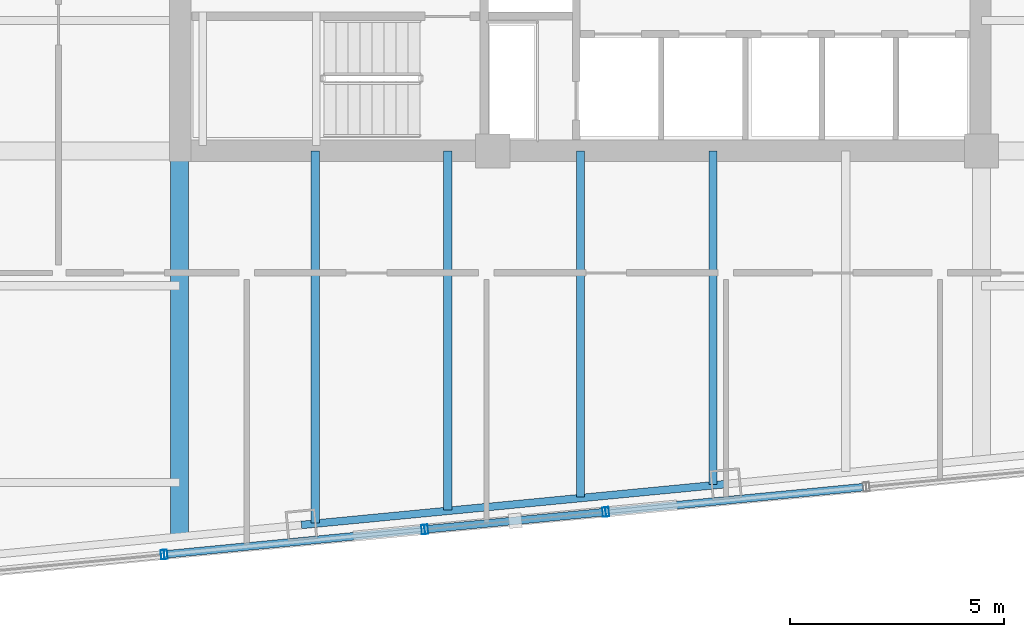
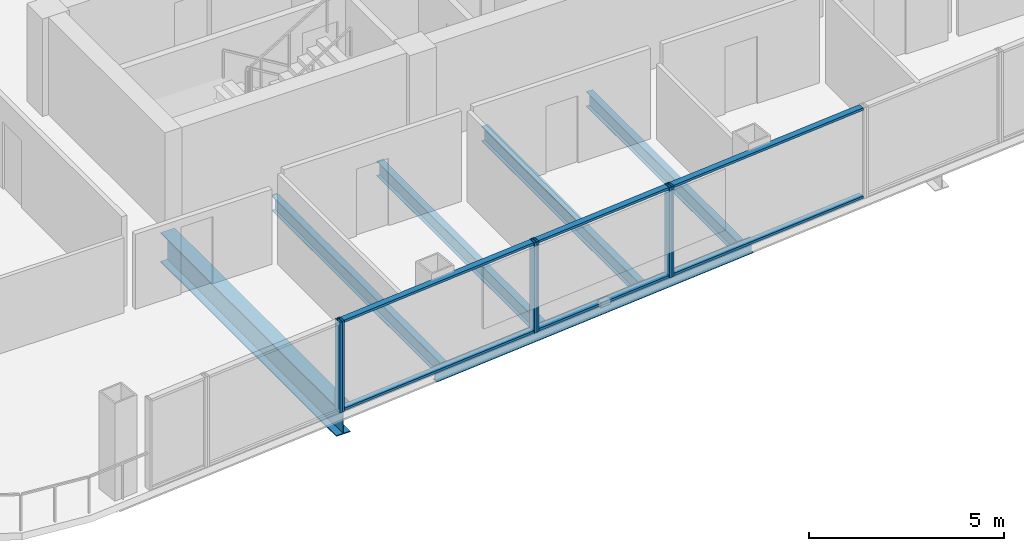
# One storey, part 4 of 22: 12 members, 6 beams, 4 elements without a shape of their own.
"""IFC4 building model written with IfcOpenShell, lengths in metres."""

from ifc_helpers import new_model, si_unit, direction, frame, origin, origin_2d, place, context, subcontext, project, spatial, hollow_rectangle, i_section, extrude, material, layer, layer_set, material_profile, profile_set, type_object, element, aggregate, save


model = new_model("IFC4")

# Units and contexts
model_context = context("Model", 3, precision=1e-05, world=origin(), true_north=direction((0.0, 1.0)))
body_context = subcontext(model_context, "Body", "Model", "MODEL_VIEW")
ifc_project = project(units=[si_unit("LENGTHUNIT", "METRE"), si_unit("AREAUNIT", "SQUARE_METRE"), si_unit("VOLUMEUNIT", "CUBIC_METRE"), si_unit("PLANEANGLEUNIT", "RADIAN"), si_unit("MASSUNIT", "GRAM", prefix="KILO")], contexts=[model_context])

# Site, building, storey
site_placement = place(None, origin())
site = spatial("IfcSite", under=ifc_project, at=site_placement, CompositionType="ELEMENT")
building_placement = place(site_placement, origin())
building = spatial("IfcBuilding", under=site, at=building_placement, Name="Qhalaya Broadcast Tower", CompositionType="ELEMENT")
storey_placement = place(building_placement, frame((0.0, 0.0, 171.39990234375)))
storey = spatial("IfcBuildingStorey", under=building, at=storey_placement, Name="L50", CompositionType="ELEMENT", Elevation=171.39990234375)

# Beams
ifc_material_1 = material(Name="Structural Steel ASTM A992 Grade 50", Category="steel")
ifc_material_profile_1 = material_profile(ifc_material_1, i_section(OverallWidth=0.19189453125, OverallDepth=0.462890625, WebThickness=0.010498046875, FlangeThickness=0.017578125, at=origin_2d()), Name="W18X60")
ifc_profile_set_1 = profile_set([ifc_material_profile_1], Name="Structural Steel ASTM A992 Grade 50")
beam_type_1 = type_object("IfcBeamType", Name="Composite Floor Joist J03", PredefinedType="JOIST", material=ifc_profile_set_1)
beam_1_placement = place(storey_placement, frame((-6.199951171875, -17.441650390625, -0.451416015625), z_axis=(0.0, 1.0, 0.0), x_axis=(-1.0, 0.0, 0.0)))
element("IfcBeam", 1, at=beam_1_placement, inside=storey, type_object=beam_type_1, Name="L50 J03 L50-JNS1-1", PredefinedType="JOIST", context=body_context, shape_type="SweptSolid", body=[
    extrude(i_section(OverallWidth=0.19189453125, OverallDepth=0.462890625, WebThickness=0.010498046875, FlangeThickness=0.017578125, at=origin_2d()), origin(), (0.0, 0.0, 1.0), 8.691650390625),
])
beam_2_placement = place(storey_placement, frame((-3.10009765625, -17.14306640625, -0.451416015625), z_axis=(0.0, 1.0, 0.0), x_axis=(-1.0, 0.0, 0.0)))
element("IfcBeam", 2, at=beam_2_placement, inside=storey, type_object=beam_type_1, Name="L50 J03 L50-JNS2-1", PredefinedType="JOIST", context=body_context, shape_type="SweptSolid", body=[
    extrude(i_section(OverallWidth=0.19189453125, OverallDepth=0.462890625, WebThickness=0.010498046875, FlangeThickness=0.017578125, at=origin_2d()), origin(), (0.0, 0.0, 1.0), 8.39306640625),
])
beam_3_placement = place(storey_placement, frame((0.0, -16.844482421875, -0.451416015625), z_axis=(0.0, 1.0, 0.0), x_axis=(-1.0, 0.0, 0.0)))
element("IfcBeam", 3, at=beam_3_placement, inside=storey, type_object=beam_type_1, Name="L50 J03 L50-JNS3-1", PredefinedType="JOIST", context=body_context, shape_type="SweptSolid", body=[
    extrude(i_section(OverallWidth=0.19189453125, OverallDepth=0.462890625, WebThickness=0.010498046875, FlangeThickness=0.017578125, at=origin_2d()), origin(), (0.0, 0.0, 1.0), 8.094482421875),
])
beam_4_placement = place(storey_placement, frame((3.10009765625, -16.546142578125, -0.451416015625), z_axis=(0.0, 1.0, 0.0), x_axis=(-1.0, 0.0, 0.0)))
element("IfcBeam", 4, at=beam_4_placement, inside=storey, type_object=beam_type_1, Name="L50 J03 L50-JNS4-1", PredefinedType="JOIST", context=body_context, shape_type="SweptSolid", body=[
    extrude(i_section(OverallWidth=0.19189453125, OverallDepth=0.462890625, WebThickness=0.010498046875, FlangeThickness=0.017578125, at=origin_2d()), origin(), (0.0, 0.0, 1.0), 7.796142578125),
])
ifc_material_profile_2 = material_profile(ifc_material_1, i_section(OverallWidth=0.4189453125, OverallDepth=0.927001953125, WebThickness=0.019287109375, FlangeThickness=0.031982421875, at=origin_2d()), Name="W36X231")
ifc_profile_set_2 = profile_set([ifc_material_profile_2], Name="Structural Steel ASTM A992 Grade 50")
beam_type_2 = type_object("IfcBeamType", Name="Mid Block Primary Girder PG3", PredefinedType="USERDEFINED", material=ifc_profile_set_2)
beam_5_placement = place(storey_placement, frame((-9.375, -17.747314453125, -0.683349609375), z_axis=(0.0, 1.0, 0.0), x_axis=(-1.0, 0.0, 0.0)))
element("IfcBeam", 5, at=beam_5_placement, inside=storey, type_object=beam_type_2, Name="L50 PG3 L50-PGXS1-1", ObjectType="GIRDER", PredefinedType="USERDEFINED", context=body_context, shape_type="SweptSolid", body=[
    extrude(i_section(OverallWidth=0.4189453125, OverallDepth=0.927001953125, WebThickness=0.019287109375, FlangeThickness=0.031982421875, at=origin_2d()), origin(), (0.0, 0.0, 1.0), 8.997314453125),
])

# Curtain wall, member
ifc_material_2 = material(Name="Solar-Control Low-E Triple Glazing", Category="glass")
ifc_layer_1 = layer(ifc_material_2, 0.219970703125, Name="Solar-Control Low-E Triple Glazing")
ifc_layer_set_1 = layer_set([ifc_layer_1], Name="Solar-Control Low-E Triple Glazing")
curtain_wall_type_1 = type_object("IfcCurtainWallType", Name="Even-Block 4-Storey Double-Module Curtain Wall CW-03", PredefinedType="NOTDEFINED", material=ifc_layer_set_1)
curtain_wall_1_placement = place(storey_placement, origin())
curtain_wall_1 = element("IfcCurtainWall", 6, at=curtain_wall_1_placement, inside=storey, type_object=curtain_wall_type_1, Name="L50 Unitised Curtain Wall L50-CW-S2", PredefinedType="NOTDEFINED")
ifc_material_3 = material(Name="Anodised Aluminium 6063-T6", Category="aluminium")
ifc_material_profile_3 = material_profile(ifc_material_3, hollow_rectangle(XDim=0.074951171875, YDim=0.219970703125, WallThickness=0.00390625, at=origin_2d()), Name="ALU-MUL 75x220x4")
ifc_profile_set_3 = profile_set([ifc_material_profile_3], Name="Anodised Aluminium 6063-T6")
member_type_1 = type_object("IfcMemberType", Name="Unitised Curtain-Wall Mullion M01", PredefinedType="MULLION", material=ifc_profile_set_3)
member_1_placement = place(storey_placement, frame((-9.765625, -18.186767578125, 0.0), z_axis=(0.0, 0.0, 1.0), x_axis=(0.995397122956, 0.095836149814, 0.0)))
member_1 = element("IfcMember", 7, at=member_1_placement, type_object=member_type_1, Name="CW-03 mullion 2", PredefinedType="MULLION", context=body_context, shape_type="SweptSolid", body=[
    extrude(hollow_rectangle(XDim=0.074951171875, YDim=0.219970703125, WallThickness=0.00390625, at=origin_2d()), origin(), (0.0, 0.0, 1.0), 2.830078125),
])
aggregate(curtain_wall_1, [member_1])

# Curtain wall, members
ifc_material_4 = material(Name="Fired Architectural Terracotta", Category="masonry")
ifc_layer_2 = layer(ifc_material_4, 0.219970703125, Name="Fired Architectural Terracotta")
ifc_layer_set_2 = layer_set([ifc_layer_2], Name="Fired Architectural Terracotta")
curtain_wall_type_2 = type_object("IfcCurtainWallType", Name="Block-Cap Unitised Terracotta Spandrel Wall CW-07", PredefinedType="NOTDEFINED", material=ifc_layer_set_2)
curtain_wall_2_placement = place(storey_placement, origin())
curtain_wall_2 = element("IfcCurtainWall", 8, at=curtain_wall_2_placement, inside=storey, type_object=curtain_wall_type_2, Name="L50 Unitised Curtain Wall L50-CW-S3", PredefinedType="NOTDEFINED")
member_2_placement = place(storey_placement, frame((-9.691162109375, -18.1796875, 0.0), z_axis=(0.0, 0.0, 1.0), x_axis=(0.995395960619, 0.095848221597, 0.0)))
member_2 = element("IfcMember", 9, at=member_2_placement, type_object=member_type_1, Name="CW-07 mullion 1", PredefinedType="MULLION", context=body_context, shape_type="SweptSolid", body=[
    extrude(hollow_rectangle(XDim=0.074951171875, YDim=0.219970703125, WallThickness=0.00390625, at=origin_2d()), origin(), (0.0, 0.0, 1.0), 2.830078125),
])
member_3_placement = place(storey_placement, frame((-3.677001953125, -17.6005859375, 0.0), z_axis=(0.0, 0.0, 1.0), x_axis=(0.995395960619, 0.095848221597, 0.0)))
member_3 = element("IfcMember", 10, at=member_3_placement, type_object=member_type_1, Name="CW-07 mullion 2", PredefinedType="MULLION", context=body_context, shape_type="SweptSolid", body=[
    extrude(hollow_rectangle(XDim=0.074951171875, YDim=0.219970703125, WallThickness=0.00390625, at=origin_2d()), origin(), (0.0, 0.0, 1.0), 2.830078125),
])

curtain_wall_3_placement = place(storey_placement, origin())
curtain_wall_3 = element("IfcCurtainWall", 11, at=curtain_wall_3_placement, inside=storey, type_object=curtain_wall_type_1, Name="L50 Unitised Curtain Wall L50-CW-S4", PredefinedType="NOTDEFINED")
member_4_placement = place(storey_placement, frame((-3.602294921875, -17.59326171875, 0.0), z_axis=(0.0, 0.0, 1.0), x_axis=(0.995395094286, 0.095857218151, 0.0)))
member_4 = element("IfcMember", 12, at=member_4_placement, type_object=member_type_1, Name="CW-03 mullion 1", PredefinedType="MULLION", context=body_context, shape_type="SweptSolid", body=[
    extrude(hollow_rectangle(XDim=0.074951171875, YDim=0.219970703125, WallThickness=0.00390625, at=origin_2d()), origin(), (0.0, 0.0, 1.0), 2.830078125),
])
member_5_placement = place(storey_placement, frame((0.553466796875, -17.193115234375, 0.0), z_axis=(0.0, 0.0, 1.0), x_axis=(0.995395094286, 0.095857218151, 0.0)))
member_5 = element("IfcMember", 13, at=member_5_placement, type_object=member_type_1, Name="CW-03 mullion 2", PredefinedType="MULLION", context=body_context, shape_type="SweptSolid", body=[
    extrude(hollow_rectangle(XDim=0.074951171875, YDim=0.219970703125, WallThickness=0.00390625, at=origin_2d()), origin(), (0.0, 0.0, 1.0), 2.830078125),
])

# Curtain wall, member
curtain_wall_4_placement = place(storey_placement, origin())
curtain_wall_4 = element("IfcCurtainWall", 14, at=curtain_wall_4_placement, inside=storey, type_object=curtain_wall_type_2, Name="L50 Unitised Curtain Wall L50-CW-S5", PredefinedType="NOTDEFINED")
member_6_placement = place(storey_placement, frame((0.628173828125, -17.185791015625, 0.0), z_axis=(0.0, 0.0, 1.0), x_axis=(0.995395960619, 0.095848221597, 0.0)))
member_6 = element("IfcMember", 15, at=member_6_placement, type_object=member_type_1, Name="CW-07 mullion 1", PredefinedType="MULLION", context=body_context, shape_type="SweptSolid", body=[
    extrude(hollow_rectangle(XDim=0.074951171875, YDim=0.219970703125, WallThickness=0.00390625, at=origin_2d()), origin(), (0.0, 0.0, 1.0), 2.830078125),
])

# Member
ifc_material_profile_4 = material_profile(ifc_material_3, hollow_rectangle(XDim=0.074951171875, YDim=0.179931640625, WallThickness=0.00390625, at=origin_2d()), Name="ALU-TRN 75x180x4")
ifc_profile_set_4 = profile_set([ifc_material_profile_4], Name="Anodised Aluminium 6063-T6")
member_type_2 = type_object("IfcMemberType", Name="Unitised Curtain-Wall Transom T01", PredefinedType="USERDEFINED", material=ifc_profile_set_4)
member_7_placement = place(storey_placement, frame((-9.65380859375, -18.176025390625, 0.03759765625), z_axis=(0.995394324344, 0.095865213003, 0.0), x_axis=(0.0, 0.0, 1.0)))
member_7 = element("IfcMember", 16, at=member_7_placement, type_object=member_type_2, Name="CW-07 transom 1.1", ObjectType="TRANSOM", PredefinedType="USERDEFINED", context=body_context, shape_type="SweptSolid", body=[
    extrude(hollow_rectangle(XDim=0.074951171875, YDim=0.179931640625, WallThickness=0.00390625, at=origin_2d()), origin(), (0.0, 0.0, 1.0), 5.967041015625),
])

member_8_placement = place(storey_placement, frame((-9.65380859375, -18.176025390625, 2.79248046875), z_axis=(0.995394324344, 0.095865213003, 0.0), x_axis=(0.0, 0.0, 1.0)))
member_8 = element("IfcMember", 17, at=member_8_placement, type_object=member_type_2, Name="CW-07 transom 1.2", ObjectType="TRANSOM", PredefinedType="USERDEFINED", context=body_context, shape_type="SweptSolid", body=[
    extrude(hollow_rectangle(XDim=0.074951171875, YDim=0.179931640625, WallThickness=0.00390625, at=origin_2d()), origin(), (0.0, 0.0, 1.0), 5.967041015625),
])

aggregate(curtain_wall_2, [member_2, member_3, member_7, member_8])

member_9_placement = place(storey_placement, frame((-3.56494140625, -17.589599609375, 0.03759765625), z_axis=(0.995399969742, 0.095806577216, 0.0), x_axis=(0.0, 0.0, 1.0)))
member_9 = element("IfcMember", 18, at=member_9_placement, type_object=member_type_2, Name="CW-03 transom 1.1", ObjectType="TRANSOM", PredefinedType="USERDEFINED", context=body_context, shape_type="SweptSolid", body=[
    extrude(hollow_rectangle(XDim=0.074951171875, YDim=0.179931640625, WallThickness=0.00390625, at=origin_2d()), origin(), (0.0, 0.0, 1.0), 4.10009765625),
])

member_10_placement = place(storey_placement, frame((-3.56494140625, -17.589599609375, 2.79248046875), z_axis=(0.995399969742, 0.095806577216, 0.0), x_axis=(0.0, 0.0, 1.0)))
member_10 = element("IfcMember", 19, at=member_10_placement, type_object=member_type_2, Name="CW-03 transom 1.2", ObjectType="TRANSOM", PredefinedType="USERDEFINED", context=body_context, shape_type="SweptSolid", body=[
    extrude(hollow_rectangle(XDim=0.074951171875, YDim=0.179931640625, WallThickness=0.00390625, at=origin_2d()), origin(), (0.0, 0.0, 1.0), 4.10009765625),
])

aggregate(curtain_wall_3, [member_4, member_5, member_9, member_10])

member_11_placement = place(storey_placement, frame((0.66552734375, -17.182373046875, 0.03759765625), z_axis=(0.995394324344, 0.095865213003, 0.0), x_axis=(0.0, 0.0, 1.0)))
member_11 = element("IfcMember", 20, at=member_11_placement, type_object=member_type_2, Name="CW-07 transom 1.1", ObjectType="TRANSOM", PredefinedType="USERDEFINED", context=body_context, shape_type="SweptSolid", body=[
    extrude(hollow_rectangle(XDim=0.074951171875, YDim=0.179931640625, WallThickness=0.00390625, at=origin_2d()), origin(), (0.0, 0.0, 1.0), 5.967041015625),
])

member_12_placement = place(storey_placement, frame((0.66552734375, -17.182373046875, 2.79248046875), z_axis=(0.995394324344, 0.095865213003, 0.0), x_axis=(0.0, 0.0, 1.0)))
member_12 = element("IfcMember", 21, at=member_12_placement, type_object=member_type_2, Name="CW-07 transom 1.2", ObjectType="TRANSOM", PredefinedType="USERDEFINED", context=body_context, shape_type="SweptSolid", body=[
    extrude(hollow_rectangle(XDim=0.074951171875, YDim=0.179931640625, WallThickness=0.00390625, at=origin_2d()), origin(), (0.0, 0.0, 1.0), 5.967041015625),
])

aggregate(curtain_wall_4, [member_6, member_11, member_12])

# Beam
ifc_material_profile_5 = material_profile(ifc_material_1, i_section(OverallWidth=0.177978515625, OverallDepth=0.406005859375, WebThickness=0.0078125, FlangeThickness=0.0126953125, at=origin_2d()), Name="W16X40")
ifc_profile_set_5 = profile_set([ifc_material_profile_5], Name="Structural Steel ASTM A992 Grade 50")
beam_type_3 = type_object("IfcBeamType", Name="Upper Perimeter Spandrel Beam SP2", PredefinedType="SPANDREL", material=ifc_profile_set_5)
beam_6_placement = place(storey_placement, frame((-6.521240234375, -17.49267578125, -0.4228515625), z_axis=(0.99539573508, 0.095850563819, 0.0), x_axis=(-0.095850563819, 0.99539573508, 0.0)))
element("IfcBeam", 22, at=beam_6_placement, inside=storey, type_object=beam_type_3, Name="L50 SP2 L50-SPR-02", PredefinedType="SPANDREL", context=body_context, shape_type="SweptSolid", body=[
    extrude(i_section(OverallWidth=0.177978515625, OverallDepth=0.406005859375, WebThickness=0.0078125, FlangeThickness=0.0126953125, at=origin_2d()), origin(), (0.0, 0.0, 1.0), 9.966796875),
])

save(model, "model.ifc")
